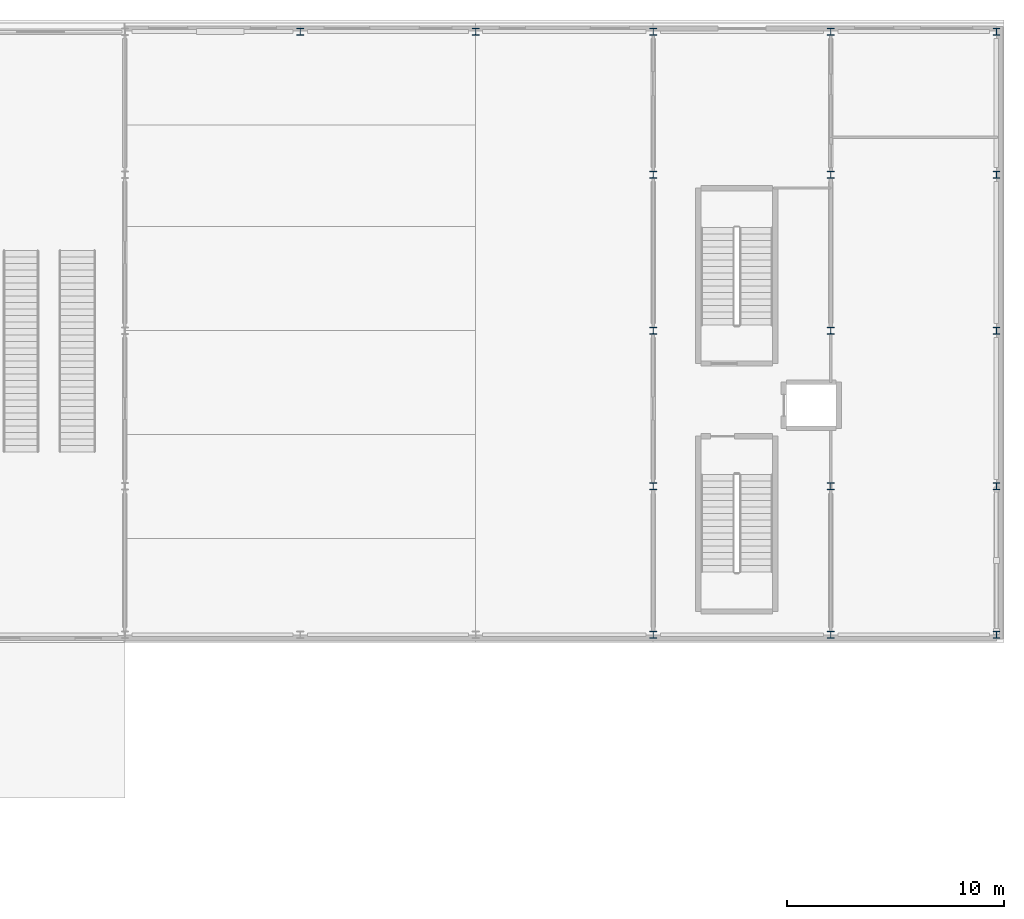
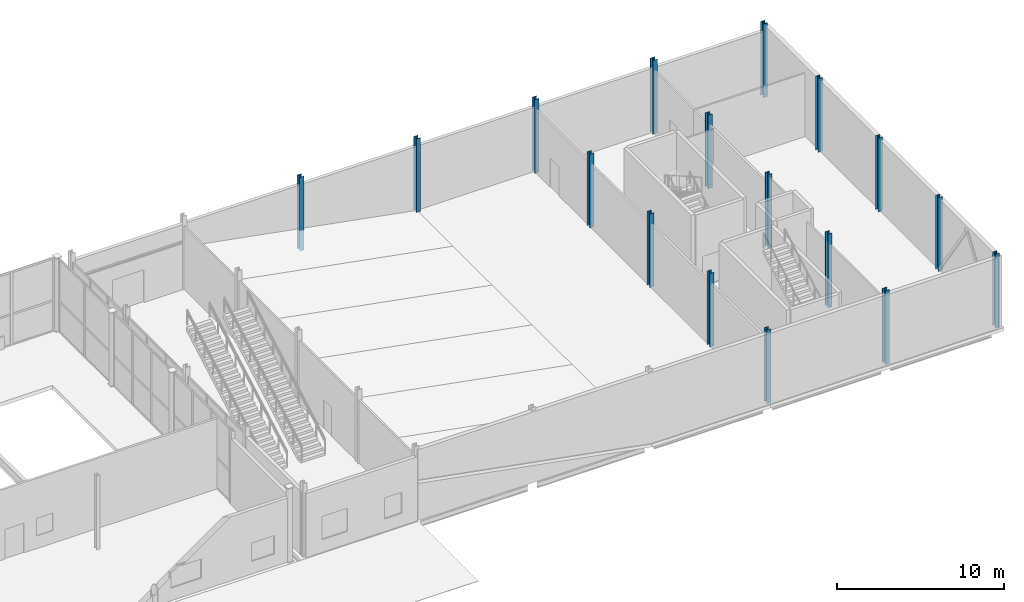
# One storey, part 11 of 83: 17 columns.
"""IFC4 building model written with IfcOpenShell, lengths in metres."""

from ifc_helpers import new_model, si_unit, direction, frame, origin, origin_2d, place, context, subcontext, project, spatial, i_section, extrude, material, material_profile, profile_set, type_object, element, save


model = new_model("IFC4")

# Units and contexts
model_context = context("Model", 3, precision=1e-05, world=origin(), true_north=direction((0.0, 1.0)))
body_context = subcontext(model_context, "Body", "Model", "MODEL_VIEW")
ifc_project = project(units=[si_unit("LENGTHUNIT", "METRE"), si_unit("AREAUNIT", "SQUARE_METRE"), si_unit("VOLUMEUNIT", "CUBIC_METRE"), si_unit("PLANEANGLEUNIT", "RADIAN"), si_unit("MASSUNIT", "GRAM", prefix="KILO")], contexts=[model_context])

# Site, building, storey
site_placement = place(None, origin())
site = spatial("IfcSite", under=ifc_project, at=site_placement, CompositionType="ELEMENT")
building_placement = place(site_placement, origin())
building = spatial("IfcBuilding", under=site, at=building_placement, Name="Quillay Park Conservatory", CompositionType="ELEMENT")
storey_placement = place(building_placement, origin())
storey = spatial("IfcBuildingStorey", under=building, at=storey_placement, Name="L00", CompositionType="ELEMENT", Elevation=0.0)

# Columns
ifc_material = material(Name="Steel ASTM A992 Grade 50", Category="steel")
ifc_material_profile = material_profile(ifc_material, i_section(OverallWidth=0.30908203125, OverallDepth=0.322998046875, WebThickness=0.013916015625, FlangeThickness=0.02294921875, FilletRadius=0.014892578125, at=origin_2d()), Name="W310x143")
ifc_profile_set = profile_set([ifc_material_profile], Name="Steel ASTM A992 Grade 50")
column_type = type_object("IfcColumnType", Name="COMPOSITE STEEL COLUMN W310 X143", PredefinedType="COLUMN", material=ifc_profile_set)
for number, where, z_axis, x_axis, name in (
    (1, (131.699951171875, 113.39990234375, 0.0), (0.0, 0.0, 1.0), (1.0, 0.0, 0.0), "L00 column COL-V2-L00-2-4"),
    (2, (139.800048828125, 113.39990234375, 0.0), (0.0, 0.0, 1.0), (1.0, 0.0, 0.0), "L00 column COL-V2-L00-3-4"),
    (3, (148.0, 85.550048828125, 0.0), (0.0, 0.0, 1.0), (1.0, 0.0, 0.0), "L00 column COL-V2-L00-4-0"),
    (4, (148.0, 92.39990234375, 0.0), (0.0, 0.0, 1.0), (1.0, 0.0, 0.0), "L00 column COL-V2-L00-4-1"),
    (5, (148.0, 99.60009765625, 0.0), (0.0, 0.0, 1.0), (1.0, 0.0, 0.0), "L00 column COL-V2-L00-4-2"),
    (6, (148.0, 106.800048828125, 0.0), (0.0, 0.0, 1.0), (1.0, 0.0, 0.0), "L00 column COL-V2-L00-4-3"),
    (7, (148.0, 113.39990234375, 0.0), (0.0, 0.0, 1.0), (1.0, 0.0, 0.0), "L00 column COL-V2-L00-4-4"),
    (8, (156.199951171875, 85.550048828125, 0.0), (0.0, 0.0, 1.0), (1.0, 0.0, 0.0), "L00 column COL-V2-L00-5-0"),
    (9, (156.199951171875, 92.39990234375, 0.0), (0.0, 0.0, 1.0), (1.0, 0.0, 0.0), "L00 column COL-V2-L00-5-1"),
    (10, (156.199951171875, 99.60009765625, 0.0), (0.0, 0.0, 1.0), (1.0, 0.0, 0.0), "L00 column COL-V2-L00-5-2"),
    (11, (156.199951171875, 106.800048828125, 0.0), (0.0, 0.0, 1.0), (1.0, 0.0, 0.0), "L00 column COL-V2-L00-5-3"),
    (12, (156.199951171875, 113.39990234375, 0.0), (0.0, 0.0, 1.0), (1.0, 0.0, 0.0), "L00 column COL-V2-L00-5-4"),
    (13, (163.85009765625, 85.550048828125, 0.0), (0.0, 0.0, 1.0), (1.0, 0.0, 0.0), "L00 column COL-V2-L00-6-0"),
    (14, (163.85009765625, 92.39990234375, 0.0), (0.0, 0.0, 1.0), (1.0, 0.0, 0.0), "L00 column COL-V2-L00-6-1"),
    (15, (163.85009765625, 99.60009765625, 0.0), (0.0, 0.0, 1.0), (1.0, 0.0, 0.0), "L00 column COL-V2-L00-6-2"),
    (16, (163.85009765625, 106.800048828125, 0.0), (0.0, 0.0, 1.0), (1.0, 0.0, 0.0), "L00 column COL-V2-L00-6-3"),
    (17, (163.85009765625, 113.39990234375, 0.0), (0.0, 0.0, 1.0), (1.0, 0.0, 0.0), "L00 column COL-V2-L00-6-4"),
):
    element("IfcColumn", number, at=place(storey_placement, frame(where, z_axis=z_axis, x_axis=x_axis)), inside=storey, type_object=column_type, Name=name, PredefinedType="COLUMN", context=body_context, shape_type="SweptSolid", body=[
        extrude(i_section(OverallWidth=0.30908203125, OverallDepth=0.322998046875, WebThickness=0.013916015625, FlangeThickness=0.02294921875, FilletRadius=0.014892578125, at=origin_2d()), origin(), (0.0, 0.0, 1.0), 5.39990234375),
    ])

save(model, "model.ifc")
